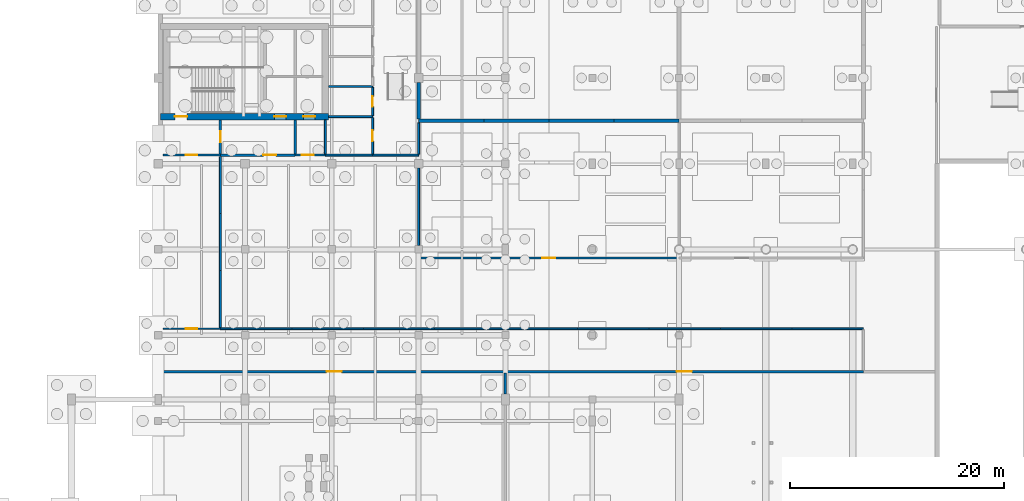
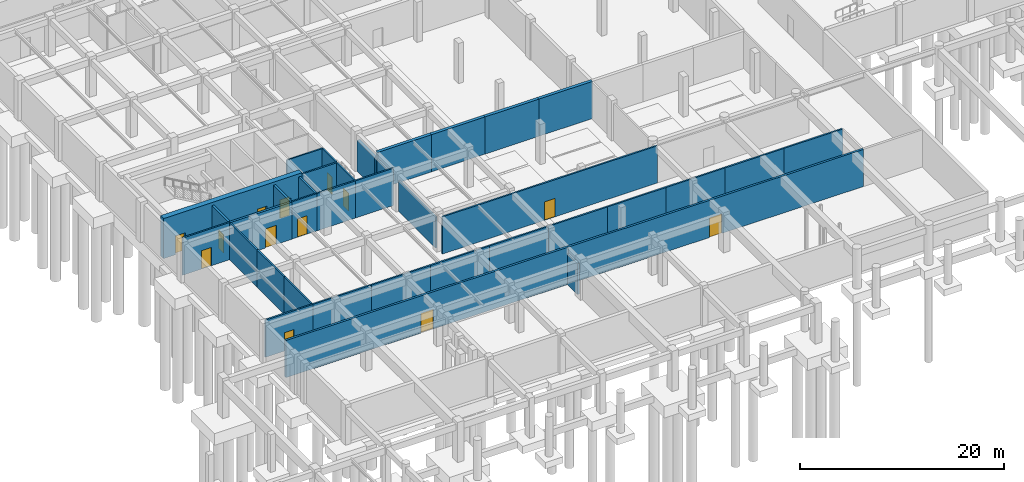
# One storey, part 14 of 25: 37 walls, 13 doors, 13 openings.
"""IFC4 building model written with IfcOpenShell, lengths in metres."""

from ifc_helpers import new_model, si_unit, direction, frame, frame_2d, origin, place, context, subcontext, project, spatial, rectangle, extrude, material, layer, layer_set, type_object, element, fill, save


model = new_model("IFC4")

# Units and contexts
model_context = context("Model", 3, precision=1e-05, world=origin(), true_north=direction((0.0, 1.0)))
body_context = subcontext(model_context, "Body", "Model", "MODEL_VIEW")
ifc_project = project(units=[si_unit("LENGTHUNIT", "METRE"), si_unit("AREAUNIT", "SQUARE_METRE"), si_unit("VOLUMEUNIT", "CUBIC_METRE"), si_unit("PLANEANGLEUNIT", "RADIAN"), si_unit("MASSUNIT", "GRAM", prefix="KILO")], contexts=[model_context])

# Site, building, storey
site_placement = place(None, origin())
site = spatial("IfcSite", under=ifc_project, at=site_placement, CompositionType="ELEMENT")
building_placement = place(site_placement, origin())
building = spatial("IfcBuilding", under=site, at=building_placement, Name="Tarnveldt Square Police Headquarters", CompositionType="ELEMENT")
storey_placement = place(building_placement, frame((0.0, 0.0, -4.800048828125)))
storey = spatial("IfcBuildingStorey", under=building, at=storey_placement, Name="B1", CompositionType="ELEMENT", Elevation=-4.800048828125)

# Wall, openings, doors
ifc_material_1 = material(Name="Concrete 50 MPa", Category="concrete")
ifc_layer_1 = layer(ifc_material_1, 0.60009765625)
ifc_layer_set_1 = layer_set([ifc_layer_1], Name="Concrete 50 MPa")
wall_type_1 = type_object("IfcWallType", Name="WL-CORE-600", PredefinedType="SHEAR", material=ifc_layer_set_1)
wall_1_placement = place(storey_placement, frame((16.419921875, 60.39990234375, 0.0), z_axis=(0.0, 0.0, 1.0), x_axis=(1.0, 0.0, 0.0)))
wall_1 = element("IfcWall", 1, at=wall_1_placement, inside=storey, type_object=wall_type_1, Name="Core K1 South-West Command and Firefighting Core B1 South Shear Wall", PredefinedType="SHEAR", context=body_context, shape_type="SweptSolid", body=[
    extrude(rectangle(XDim=15.68017578125, YDim=0.60009765625, at=frame_2d((7.840087890625, 0.0))), origin(), (0.0, 0.0, 1.0), 4.800048828125),
])
opening_1_placement = place(wall_1_placement, frame((1.330078125, 0.0, 0.0)))
opening_1 = element("IfcOpeningElement", 2, at=opening_1_placement, cuts=wall_1, Name="Opening D-ST1-B1", PredefinedType="OPENING", context=body_context, shape_type="SweptSolid", body=[
    extrude(rectangle(XDim=1.14990234375, YDim=2.25, at=frame_2d((0.574951171875, 1.125))), frame((0.0, 0.31005859375, 0.0), z_axis=(0.0, -1.0, 0.0), x_axis=(1.0, 0.0, 0.0)), (0.0, 0.0, 1.0), 0.6201171875),
])
opening_2_placement = place(wall_1_placement, frame((10.612548828125, 0.0, 0.0)))
opening_2 = element("IfcOpeningElement", 3, at=opening_2_placement, cuts=wall_1, Name="Opening LD-LF1-B1", PredefinedType="OPENING", context=body_context, shape_type="SweptSolid", body=[
    extrude(rectangle(XDim=1.10009765625, YDim=2.199951171875, at=frame_2d((0.550048828125, 1.10009765625))), frame((0.0, 0.31005859375, 0.0), z_axis=(0.0, -1.0, 0.0), x_axis=(1.0, 0.0, 0.0)), (0.0, 0.0, 1.0), 0.6201171875),
])
opening_3_placement = place(wall_1_placement, frame((13.327392578125, 0.0, 0.0)))
opening_3 = element("IfcOpeningElement", 4, at=opening_3_placement, cuts=wall_1, Name="Opening LD-LP1-B1", PredefinedType="OPENING", context=body_context, shape_type="SweptSolid", body=[
    extrude(rectangle(XDim=1.10009765625, YDim=2.199951171875, at=frame_2d((0.550048828125, 1.10009765625))), frame((0.0, 0.31005859375, 0.0), z_axis=(0.0, -1.0, 0.0), x_axis=(1.0, 0.0, 0.0)), (0.0, 0.0, 1.0), 0.6201171875),
])
ifc_material_2 = material(Name="Insulated hollow metal steel door leaf", Category="steel")
door_type_1 = type_object("IfcDoorType", Name="DR-FD90-1150", OperationType="NOTDEFINED", PredefinedType="DOOR", material=ifc_material_2)
door_1_placement = place(opening_1_placement, frame((1.14990234375, 0.0, 0.0), z_axis=(0.0, 0.0, 1.0), x_axis=(-1.0, 0.0, 0.0)))
door_1 = element("IfcDoor", 5, at=door_1_placement, inside=storey, type_object=door_type_1, Name="Exit Stair ST1 B1 Fire Door", OperationType="SINGLE_SWING_LEFT", OverallHeight=2.25, OverallWidth=1.14990234375, PredefinedType="DOOR", context=body_context, shape_type="SweptSolid", body=[
    extrude(rectangle(XDim=1.14990234375, YDim=2.25, at=frame_2d((0.574951171875, 1.125))), frame((0.0, 0.02490234375, 0.0), z_axis=(0.0, -1.0, 0.0), x_axis=(1.0, 0.0, 0.0)), (0.0, 0.0, 1.0), 0.050048828125),
])
fill(opening_1, door_1)
ifc_material_3 = material(Name="Steel 350W", Category="steel")
door_type_2 = type_object("IfcDoorType", Name="DR-LD-1100", OperationType="DOUBLE_DOOR_SLIDING", PredefinedType="DOOR", material=ifc_material_3)
door_2_placement = place(opening_2_placement, frame((1.10009765625, 0.0, 0.0), z_axis=(0.0, 0.0, 1.0), x_axis=(-1.0, 0.0, 0.0)))
door_2 = element("IfcDoor", 6, at=door_2_placement, inside=storey, type_object=door_type_2, Name="Elevator LF1 B1 Sliding Landing Door", OperationType="DOUBLE_DOOR_SLIDING", OverallHeight=2.199951171875, OverallWidth=1.10009765625, PredefinedType="DOOR", context=body_context, shape_type="SweptSolid", body=[
    extrude(rectangle(XDim=1.10009765625, YDim=2.199951171875, at=frame_2d((0.550048828125, 1.10009765625))), frame((0.0, 0.02490234375, 0.0), z_axis=(0.0, -1.0, 0.0), x_axis=(1.0, 0.0, 0.0)), (0.0, 0.0, 1.0), 0.050048828125),
])
fill(opening_2, door_2)
door_3_placement = place(opening_3_placement, frame((1.10009765625, 0.0, 0.0), z_axis=(0.0, 0.0, 1.0), x_axis=(-1.0, 0.0, 0.0)))
door_3 = element("IfcDoor", 7, at=door_3_placement, inside=storey, type_object=door_type_2, Name="Elevator LP1 B1 Sliding Landing Door", OperationType="DOUBLE_DOOR_SLIDING", OverallHeight=2.199951171875, OverallWidth=1.10009765625, PredefinedType="DOOR", context=body_context, shape_type="SweptSolid", body=[
    extrude(rectangle(XDim=1.10009765625, YDim=2.199951171875, at=frame_2d((0.550048828125, 1.10009765625))), frame((0.0, 0.02490234375, 0.0), z_axis=(0.0, -1.0, 0.0), x_axis=(1.0, 0.0, 0.0)), (0.0, 0.0, 1.0), 0.050048828125),
])
fill(opening_3, door_3)

# Walls
ifc_material_4 = material(Name="Concrete 40 MPa", Category="concrete")
ifc_layer_2 = layer(ifc_material_4, 0.35009765625)
ifc_layer_set_2 = layer_set([ifc_layer_2], Name="Concrete 40 MPa")
wall_type_2 = type_object("IfcWallType", Name="WL-CUST-350", PredefinedType="SOLIDWALL", material=ifc_layer_set_2)
for number, where, z_axis, x_axis, name in (
    (8, (40.5, 60.0, 0.0), (0.0, 0.0, 1.0), (1.0, 0.0, 0.0), "B1 Interior Partition Wall 0034"),
    (9, (46.574951171875, 60.0, 0.0), (0.0, 0.0, 1.0), (1.0, 0.0, 0.0), "B1 Interior Partition Wall 0035"),
):
    element("IfcWall", number, at=place(storey_placement, frame(where, z_axis=z_axis, x_axis=x_axis)), inside=storey, type_object=wall_type_2, Name=name, PredefinedType="SOLIDWALL", context=body_context, shape_type="SweptSolid", body=[
        extrude(rectangle(XDim=6.074951171875, YDim=0.35009765625, at=frame_2d((3.03759765625, 0.0))), origin(), (0.0, 0.0, 1.0), 4.449951171875),
    ])
wall_2_placement = place(storey_placement, frame((52.64990234375, 60.0, 0.0), z_axis=(0.0, 0.0, 1.0), x_axis=(1.0, 0.0, 0.0)))
element("IfcWall", 10, at=wall_2_placement, inside=storey, type_object=wall_type_2, Name="B1 Interior Partition Wall 0036", PredefinedType="SOLIDWALL", context=body_context, shape_type="SweptSolid", body=[
    extrude(rectangle(XDim=6.0751953125, YDim=0.35009765625, at=frame_2d((3.03759765625, 0.0))), origin(), (0.0, 0.0, 1.0), 4.449951171875),
])
wall_3_placement = place(storey_placement, frame((58.72509765625, 60.0, 0.0), z_axis=(0.0, 0.0, 1.0), x_axis=(1.0, 0.0, 0.0)))
element("IfcWall", 11, at=wall_3_placement, inside=storey, type_object=wall_type_2, Name="B1 Interior Partition Wall 0037", PredefinedType="SOLIDWALL", context=body_context, shape_type="SweptSolid", body=[
    extrude(rectangle(XDim=6.074951171875, YDim=0.35009765625, at=frame_2d((3.03759765625, 0.0))), origin(), (0.0, 0.0, 1.0), 4.449951171875),
])
wall_4_placement = place(storey_placement, frame((40.5, 60.18310546875, 0.0), z_axis=(0.0, 0.0, 1.0), x_axis=(0.0, 1.0, 0.0)))
element("IfcWall", 12, at=wall_4_placement, inside=storey, type_object=wall_type_2, Name="B1 Interior Partition Wall 0069", PredefinedType="SOLIDWALL", context=body_context, shape_type="SweptSolid", body=[
    extrude(rectangle(XDim=3.408935546875, YDim=0.35009765625, at=frame_2d((1.70458984375, 0.0))), origin(), (0.0, 0.0, 1.0), 3.692138671875),
])

# Wall, opening, door
ifc_material_5 = material(Name="Fire-rated Type X gypsum board on steel studs", Category="steel")
ifc_layer_3 = layer(ifc_material_5, 0.179931640625)
ifc_layer_set_3 = layer_set([ifc_layer_3], Name="Fire-rated Type X gypsum board on steel studs")
wall_type_3 = type_object("IfcWallType", Name="WL-FIRE-180", PredefinedType="PARTITIONING", material=ifc_layer_set_3)
wall_5_placement = place(storey_placement, frame((16.6279296875, 40.60009765625, 0.0), z_axis=(0.0, 0.0, 1.0), x_axis=(1.0, 0.0, 0.0)))
wall_5 = element("IfcWall", 13, at=wall_5_placement, inside=storey, type_object=wall_type_3, Name="B1 Interior Partition Wall 0002", PredefinedType="PARTITIONING", context=body_context, shape_type="SweptSolid", body=[
    extrude(rectangle(XDim=5.3720703125, YDim=0.179931640625, at=frame_2d((2.68603515625, 0.0))), origin(), (0.0, 0.0, 1.0), 4.449951171875),
])
opening_4_placement = place(wall_5_placement, frame((2.135986328125, 0.0, 0.0)))
opening_4 = element("IfcOpeningElement", 14, at=opening_4_placement, cuts=wall_5, Name="Opening D15", PredefinedType="OPENING", context=body_context, shape_type="SweptSolid", body=[
    extrude(rectangle(XDim=1.10009765625, YDim=2.199951171875, at=frame_2d((0.550048828125, 1.10009765625))), frame((0.0, 0.099853515625, 0.0), z_axis=(0.0, -1.0, 0.0), x_axis=(1.0, 0.0, 0.0)), (0.0, 0.0, 1.0), 0.199951171875),
])
door_type_3 = type_object("IfcDoorType", Name="DR-FD60-1100", OperationType="NOTDEFINED", PredefinedType="DOOR", material=ifc_material_2)
door_4_placement = place(opening_4_placement, origin())
door_4 = element("IfcDoor", 15, at=door_4_placement, inside=storey, type_object=door_type_3, Name="Basement West Plant Escape Corridor Door", OperationType="SINGLE_SWING_RIGHT", OverallHeight=2.199951171875, OverallWidth=1.10009765625, PredefinedType="DOOR", context=body_context, shape_type="SweptSolid", body=[
    extrude(rectangle(XDim=1.10009765625, YDim=2.199951171875, at=frame_2d((0.550048828125, 1.10009765625))), frame((0.0, 0.02490234375, 0.0), z_axis=(0.0, -1.0, 0.0), x_axis=(1.0, 0.0, 0.0)), (0.0, 0.0, 1.0), 0.050048828125),
])
fill(opening_4, door_4)

wall_6_placement = place(storey_placement, frame((16.6279296875, 56.800048828125, 0.0), z_axis=(0.0, 0.0, 1.0), x_axis=(1.0, 0.0, 0.0)))
wall_6 = element("IfcWall", 16, at=wall_6_placement, inside=storey, type_object=wall_type_3, Name="B1 Interior Partition Wall 0003", PredefinedType="PARTITIONING", context=body_context, shape_type="SweptSolid", body=[
    extrude(rectangle(XDim=5.3720703125, YDim=0.179931640625, at=frame_2d((2.68603515625, 0.0))), origin(), (0.0, 0.0, 1.0), 4.449951171875),
])
opening_5_placement = place(wall_6_placement, frame((2.135986328125, 0.0, 0.0)))
opening_5 = element("IfcOpeningElement", 17, at=opening_5_placement, cuts=wall_6, Name="Opening D15", PredefinedType="OPENING", context=body_context, shape_type="SweptSolid", body=[
    extrude(rectangle(XDim=1.10009765625, YDim=2.199951171875, at=frame_2d((0.550048828125, 1.10009765625))), frame((0.0, 0.099853515625, 0.0), z_axis=(0.0, -1.0, 0.0), x_axis=(1.0, 0.0, 0.0)), (0.0, 0.0, 1.0), 0.199951171875),
])
door_5_placement = place(opening_5_placement, frame((1.10009765625, 0.0, 0.0), z_axis=(0.0, 0.0, 1.0), x_axis=(-1.0, 0.0, 0.0)))
door_5 = element("IfcDoor", 18, at=door_5_placement, inside=storey, type_object=door_type_3, Name="Core Stair Lobby K1-B1 Door", OperationType="SINGLE_SWING_LEFT", OverallHeight=2.199951171875, OverallWidth=1.10009765625, PredefinedType="DOOR", context=body_context, shape_type="SweptSolid", body=[
    extrude(rectangle(XDim=1.10009765625, YDim=2.199951171875, at=frame_2d((0.550048828125, 1.10009765625))), frame((0.0, 0.02490234375, 0.0), z_axis=(0.0, -1.0, 0.0), x_axis=(1.0, 0.0, 0.0)), (0.0, 0.0, 1.0), 0.050048828125),
])
fill(opening_5, door_5)

# Walls
wall_7_placement = place(storey_placement, frame((22.0, 40.60009765625, 0.0), z_axis=(0.0, 0.0, 1.0), x_axis=(1.0, 0.0, 0.0)))
element("IfcWall", 19, at=wall_7_placement, inside=storey, type_object=wall_type_3, Name="B1 Interior Partition Wall 0005", PredefinedType="PARTITIONING", context=body_context, shape_type="SweptSolid", body=[
    extrude(rectangle(XDim=6.666748046875, YDim=0.179931640625, at=frame_2d((3.33349609375, 0.0))), origin(), (0.0, 0.0, 1.0), 4.449951171875),
])
wall_8_placement = place(storey_placement, frame((28.666748046875, 40.60009765625, 0.0), z_axis=(0.0, 0.0, 1.0), x_axis=(1.0, 0.0, 0.0)))
element("IfcWall", 20, at=wall_8_placement, inside=storey, type_object=wall_type_3, Name="B1 Interior Partition Wall 0006", PredefinedType="PARTITIONING", context=body_context, shape_type="SweptSolid", body=[
    extrude(rectangle(XDim=6.66650390625, YDim=0.179931640625, at=frame_2d((3.333251953125, 0.0))), origin(), (0.0, 0.0, 1.0), 4.449951171875),
])
for number, where, z_axis, x_axis, name in (
    (21, (35.333251953125, 40.60009765625, 0.0), (0.0, 0.0, 1.0), (1.0, 0.0, 0.0), "B1 Interior Partition Wall 0007"),
    (22, (42.0, 40.60009765625, 0.0), (0.0, 0.0, 1.0), (1.0, 0.0, 0.0), "B1 Interior Partition Wall 0008"),
):
    element("IfcWall", number, at=place(storey_placement, frame(where, z_axis=z_axis, x_axis=x_axis)), inside=storey, type_object=wall_type_3, Name=name, PredefinedType="PARTITIONING", context=body_context, shape_type="SweptSolid", body=[
        extrude(rectangle(XDim=6.666748046875, YDim=0.179931640625, at=frame_2d((3.33349609375, 0.0))), origin(), (0.0, 0.0, 1.0), 4.449951171875),
    ])
wall_9_placement = place(storey_placement, frame((48.666748046875, 40.60009765625, 0.0), z_axis=(0.0, 0.0, 1.0), x_axis=(1.0, 0.0, 0.0)))
element("IfcWall", 23, at=wall_9_placement, inside=storey, type_object=wall_type_3, Name="B1 Interior Partition Wall 0009", PredefinedType="PARTITIONING", context=body_context, shape_type="SweptSolid", body=[
    extrude(rectangle(XDim=6.66650390625, YDim=0.179931640625, at=frame_2d((3.333251953125, 0.0))), origin(), (0.0, 0.0, 1.0), 4.449951171875),
])
for number, where, z_axis, x_axis, name in (
    (24, (55.333251953125, 40.60009765625, 0.0), (0.0, 0.0, 1.0), (1.0, 0.0, 0.0), "B1 Interior Partition Wall 0010"),
    (25, (62.0, 40.60009765625, 0.0), (0.0, 0.0, 1.0), (1.0, 0.0, 0.0), "B1 Interior Partition Wall 0011"),
):
    element("IfcWall", number, at=place(storey_placement, frame(where, z_axis=z_axis, x_axis=x_axis)), inside=storey, type_object=wall_type_3, Name=name, PredefinedType="PARTITIONING", context=body_context, shape_type="SweptSolid", body=[
        extrude(rectangle(XDim=6.666748046875, YDim=0.179931640625, at=frame_2d((3.33349609375, 0.0))), origin(), (0.0, 0.0, 1.0), 4.449951171875),
    ])
wall_10_placement = place(storey_placement, frame((68.666748046875, 40.60009765625, 0.0), z_axis=(0.0, 0.0, 1.0), x_axis=(1.0, 0.0, 0.0)))
element("IfcWall", 26, at=wall_10_placement, inside=storey, type_object=wall_type_3, Name="B1 Interior Partition Wall 0012", PredefinedType="PARTITIONING", context=body_context, shape_type="SweptSolid", body=[
    extrude(rectangle(XDim=6.66650390625, YDim=0.179931640625, at=frame_2d((3.333251953125, 0.0))), origin(), (0.0, 0.0, 1.0), 4.449951171875),
])
wall_11_placement = place(storey_placement, frame((75.333251953125, 40.60009765625, 0.0), z_axis=(0.0, 0.0, 1.0), x_axis=(1.0, 0.0, 0.0)))
element("IfcWall", 27, at=wall_11_placement, inside=storey, type_object=wall_type_3, Name="B1 Interior Partition Wall 0013", PredefinedType="PARTITIONING", context=body_context, shape_type="SweptSolid", body=[
    extrude(rectangle(XDim=6.666748046875, YDim=0.179931640625, at=frame_2d((3.33349609375, 0.0))), origin(), (0.0, 0.0, 1.0), 4.449951171875),
])

# Wall, opening, door
wall_12_placement = place(storey_placement, frame((28.97509765625, 56.800048828125, 0.0), z_axis=(0.0, 0.0, 1.0), x_axis=(1.0, 0.0, 0.0)))
wall_12 = element("IfcWall", 28, at=wall_12_placement, inside=storey, type_object=wall_type_3, Name="B1 Interior Partition Wall 0015", PredefinedType="PARTITIONING", context=body_context, shape_type="SweptSolid", body=[
    extrude(rectangle(XDim=2.824951171875, YDim=0.179931640625, at=frame_2d((1.41259765625, 0.0))), origin(), (0.0, 0.0, 1.0), 4.449951171875),
])
opening_6_placement = place(wall_12_placement, frame((0.636474609375, 0.0, 0.0)))
opening_6 = element("IfcOpeningElement", 29, at=opening_6_placement, cuts=wall_12, Name="Opening D15", PredefinedType="OPENING", context=body_context, shape_type="SweptSolid", body=[
    extrude(rectangle(XDim=1.10009765625, YDim=2.199951171875, at=frame_2d((0.550048828125, 1.10009765625))), frame((0.0, 0.099853515625, 0.0), z_axis=(0.0, -1.0, 0.0), x_axis=(1.0, 0.0, 0.0)), (0.0, 0.0, 1.0), 0.199951171875),
])
door_6_placement = place(opening_6_placement, frame((1.10009765625, 0.0, 0.0), z_axis=(0.0, 0.0, 1.0), x_axis=(-1.0, 0.0, 0.0)))
door_6 = element("IfcDoor", 30, at=door_6_placement, inside=storey, type_object=door_type_3, Name="Passenger Lift Lobby K1-B1 Door", OperationType="SINGLE_SWING_RIGHT", OverallHeight=2.199951171875, OverallWidth=1.10009765625, PredefinedType="DOOR", context=body_context, shape_type="SweptSolid", body=[
    extrude(rectangle(XDim=1.10009765625, YDim=2.199951171875, at=frame_2d((0.550048828125, 1.10009765625))), frame((0.0, 0.02490234375, 0.0), z_axis=(0.0, -1.0, 0.0), x_axis=(1.0, 0.0, 0.0)), (0.0, 0.0, 1.0), 0.050048828125),
])
fill(opening_6, door_6)

# Walls
wall_13_placement = place(storey_placement, frame((31.800048828125, 56.800048828125, 0.0), z_axis=(0.0, 0.0, 1.0), x_axis=(1.0, 0.0, 0.0)))
element("IfcWall", 31, at=wall_13_placement, inside=storey, type_object=wall_type_3, Name="B1 Interior Partition Wall 0026", PredefinedType="PARTITIONING", context=body_context, shape_type="SweptSolid", body=[
    extrude(rectangle(XDim=4.39990234375, YDim=0.179931640625, at=frame_2d((2.199951171875, 0.0))), origin(), (0.0, 0.0, 1.0), 4.449951171875),
])
wall_14_placement = place(storey_placement, frame((32.10009765625, 60.39990234375, 0.0), z_axis=(0.0, 0.0, 1.0), x_axis=(1.0, 0.0, 0.0)))
element("IfcWall", 32, at=wall_14_placement, inside=storey, type_object=wall_type_3, Name="B1 Interior Partition Wall 0027", PredefinedType="PARTITIONING", context=body_context, shape_type="SweptSolid", body=[
    extrude(rectangle(XDim=4.099853515625, YDim=0.179931640625, at=frame_2d((2.0498046875, 0.0))), origin(), (0.0, 0.0, 1.0), 4.449951171875),
])
wall_15_placement = place(storey_placement, frame((36.199951171875, 56.800048828125, 0.0), z_axis=(0.0, 0.0, 1.0), x_axis=(1.0, 0.0, 0.0)))
element("IfcWall", 33, at=wall_15_placement, inside=storey, type_object=wall_type_3, Name="B1 Interior Partition Wall 0031", PredefinedType="PARTITIONING", context=body_context, shape_type="SweptSolid", body=[
    extrude(rectangle(XDim=4.300048828125, YDim=0.179931640625, at=frame_2d((2.14990234375, 0.0))), origin(), (0.0, 0.0, 1.0), 4.449951171875),
])

# Wall, opening, door
wall_16_placement = place(storey_placement, frame((40.5, 47.199951171875, 0.0), z_axis=(0.0, 0.0, 1.0), x_axis=(1.0, 0.0, 0.0)))
wall_16 = element("IfcWall", 34, at=wall_16_placement, inside=storey, type_object=wall_type_3, Name="B1 Interior Partition Wall 0033", PredefinedType="PARTITIONING", context=body_context, shape_type="SweptSolid", body=[
    extrude(rectangle(XDim=24.300048828125, YDim=0.179931640625, at=frame_2d((12.14990234375, 0.0))), origin(), (0.0, 0.0, 1.0), 4.449951171875),
])
opening_7_placement = place(wall_16_placement, frame((11.550048828125, 0.0, 0.0)))
opening_7 = element("IfcOpeningElement", 35, at=opening_7_placement, cuts=wall_16, Name="Opening D16", PredefinedType="OPENING", context=body_context, shape_type="SweptSolid", body=[
    extrude(rectangle(XDim=1.199951171875, YDim=2.199951171875, at=frame_2d((0.60009765625, 1.10009765625))), frame((0.0, 0.099853515625, 0.0), z_axis=(0.0, -1.0, 0.0), x_axis=(1.0, 0.0, 0.0)), (0.0, 0.0, 1.0), 0.199951171875),
])
door_type_4 = type_object("IfcDoorType", Name="DR-FD60-1200", OperationType="NOTDEFINED", PredefinedType="DOOR", material=ifc_material_2)
door_7_placement = place(opening_7_placement, origin())
door_7 = element("IfcDoor", 36, at=door_7_placement, inside=storey, type_object=door_type_4, Name="Patrol Cruiser Secure Car Park Bay A Door", OperationType="SINGLE_SWING_RIGHT", OverallHeight=2.199951171875, OverallWidth=1.199951171875, PredefinedType="DOOR", context=body_context, shape_type="SweptSolid", body=[
    extrude(rectangle(XDim=1.199951171875, YDim=2.199951171875, at=frame_2d((0.60009765625, 1.10009765625))), frame((0.0, 0.02490234375, 0.0), z_axis=(0.0, -1.0, 0.0), x_axis=(1.0, 0.0, 0.0)), (0.0, 0.0, 1.0), 0.050048828125),
])
fill(opening_7, door_7)

# Walls
for number, where, z_axis, x_axis, name in (
    (37, (22.0, 40.697998046875, 0.0), (0.0, 0.0, 1.0), (0.0, 1.0, 0.0), "B1 Interior Partition Wall 0052"),
    (38, (22.0, 46.022705078125, 0.0), (0.0, 0.0, 1.0), (0.0, 1.0, 0.0), "B1 Interior Partition Wall 0053"),
    (39, (22.0, 51.347412109375, 0.0), (0.0, 0.0, 1.0), (0.0, 1.0, 0.0), "B1 Interior Partition Wall 0054"),
):
    element("IfcWall", number, at=place(storey_placement, frame(where, z_axis=z_axis, x_axis=x_axis)), inside=storey, type_object=wall_type_3, Name=name, PredefinedType="PARTITIONING", context=body_context, shape_type="SweptSolid", body=[
        extrude(rectangle(XDim=5.32470703125, YDim=0.179931640625, at=frame_2d((2.662353515625, 0.0))), origin(), (0.0, 0.0, 1.0), 4.449951171875),
    ])
wall_17_placement = place(storey_placement, frame((31.800048828125, 56.89794921875, 0.0), z_axis=(0.0, 0.0, 1.0), x_axis=(0.0, 1.0, 0.0)))
element("IfcWall", 40, at=wall_17_placement, inside=storey, type_object=wall_type_3, Name="B1 Interior Partition Wall 0060", PredefinedType="PARTITIONING", context=body_context, shape_type="SweptSolid", body=[
    extrude(rectangle(XDim=3.194091796875, YDim=0.179931640625, at=frame_2d((1.59716796875, 0.0))), origin(), (0.0, 0.0, 1.0), 4.449951171875),
])

# Wall, opening, door
wall_18_placement = place(storey_placement, frame((36.199951171875, 56.89794921875, 0.0), z_axis=(0.0, 0.0, 1.0), x_axis=(0.0, 1.0, 0.0)))
wall_18 = element("IfcWall", 41, at=wall_18_placement, inside=storey, type_object=wall_type_3, Name="B1 Interior Partition Wall 0061", PredefinedType="PARTITIONING", context=body_context, shape_type="SweptSolid", body=[
    extrude(rectangle(XDim=3.404052734375, YDim=0.179931640625, at=frame_2d((1.7021484375, 0.0))), origin(), (0.0, 0.0, 1.0), 4.449951171875),
])
opening_8_placement = place(wall_18_placement, frame((1.201904296875, 0.0, 0.0)))
opening_8 = element("IfcOpeningElement", 42, at=opening_8_placement, cuts=wall_18, Name="Opening D14", PredefinedType="OPENING", context=body_context, shape_type="SweptSolid", body=[
    extrude(rectangle(XDim=1.0, YDim=2.14990234375, at=frame_2d((0.5, 1.074951171875))), frame((0.0, 0.099853515625, 0.0), z_axis=(0.0, -1.0, 0.0), x_axis=(1.0, 0.0, 0.0)), (0.0, 0.0, 1.0), 0.199951171875),
])
door_type_5 = type_object("IfcDoorType", Name="DR-FD60-1000", OperationType="NOTDEFINED", PredefinedType="DOOR", material=ifc_material_2)
door_8_placement = place(opening_8_placement, origin())
door_8 = element("IfcDoor", 43, at=door_8_placement, inside=storey, type_object=door_type_5, Name="Electrical Distribution Room B1 Door", OperationType="SINGLE_SWING_RIGHT", OverallHeight=2.14990234375, OverallWidth=1.0, PredefinedType="DOOR", context=body_context, shape_type="SweptSolid", body=[
    extrude(rectangle(XDim=1.0, YDim=2.14990234375, at=frame_2d((0.5, 1.074951171875))), frame((0.0, 0.02490234375, 0.0), z_axis=(0.0, -1.0, 0.0), x_axis=(1.0, 0.0, 0.0)), (0.0, 0.0, 1.0), 0.050048828125),
])
fill(opening_8, door_8)

wall_19_placement = place(storey_placement, frame((36.199951171875, 60.498046875, 0.0), z_axis=(0.0, 0.0, 1.0), x_axis=(0.0, 1.0, 0.0)))
wall_19 = element("IfcWall", 44, at=wall_19_placement, inside=storey, type_object=wall_type_3, Name="B1 Interior Partition Wall 0062", PredefinedType="PARTITIONING", context=body_context, shape_type="SweptSolid", body=[
    extrude(rectangle(XDim=2.614013671875, YDim=0.179931640625, at=frame_2d((1.30712890625, 0.0))), origin(), (0.0, 0.0, 1.0), 4.449951171875),
])
opening_9_placement = place(wall_19_placement, frame((0.83203125, 0.0, 0.0)))
opening_9 = element("IfcOpeningElement", 45, at=opening_9_placement, cuts=wall_19, Name="Opening D02", PredefinedType="OPENING", context=body_context, shape_type="SweptSolid", body=[
    extrude(rectangle(XDim=0.949951171875, YDim=2.10009765625, at=frame_2d((0.47509765625, 1.050048828125))), frame((0.0, 0.099853515625, 0.0), z_axis=(0.0, -1.0, 0.0), x_axis=(1.0, 0.0, 0.0)), (0.0, 0.0, 1.0), 0.199951171875),
])
ifc_material_6 = material(Name="Solid core architectural birch door leaf", Category="wood")
door_type_6 = type_object("IfcDoorType", Name="DR-WC-950", OperationType="NOTDEFINED", PredefinedType="DOOR", material=ifc_material_6)
door_9_placement = place(opening_9_placement, origin())
door_9 = element("IfcDoor", 46, at=door_9_placement, inside=storey, type_object=door_type_6, Name="Men Washroom B1 Door", OperationType="SINGLE_SWING_LEFT", OverallHeight=2.10009765625, OverallWidth=0.949951171875, PredefinedType="DOOR", context=body_context, shape_type="SweptSolid", body=[
    extrude(rectangle(XDim=0.949951171875, YDim=2.10009765625, at=frame_2d((0.47509765625, 1.050048828125))), frame((0.0, 0.02490234375, 0.0), z_axis=(0.0, -1.0, 0.0), x_axis=(1.0, 0.0, 0.0)), (0.0, 0.0, 1.0), 0.050048828125),
])
fill(opening_9, door_9)

# Walls
wall_20_placement = place(storey_placement, frame((40.5, 48.35791015625, 0.0), z_axis=(0.0, 0.0, 1.0), x_axis=(0.0, 1.0, 0.0)))
element("IfcWall", 47, at=wall_20_placement, inside=storey, type_object=wall_type_3, Name="B1 Interior Partition Wall 0067", PredefinedType="PARTITIONING", context=body_context, shape_type="SweptSolid", body=[
    extrude(rectangle(XDim=7.234130859375, YDim=0.179931640625, at=frame_2d((3.6171875, 0.0))), origin(), (0.0, 0.0, 1.0), 3.692138671875),
])
wall_21_placement = place(storey_placement, frame((40.5, 56.89794921875, 0.0), z_axis=(0.0, 0.0, 1.0), x_axis=(0.0, 1.0, 0.0)))
element("IfcWall", 48, at=wall_21_placement, inside=storey, type_object=wall_type_3, Name="B1 Interior Partition Wall 0068", PredefinedType="PARTITIONING", context=body_context, shape_type="SweptSolid", body=[
    extrude(rectangle(XDim=2.9189453125, YDim=0.179931640625, at=frame_2d((1.45947265625, 0.0))), origin(), (0.0, 0.0, 1.0), 3.692138671875),
])

# Wall, opening, door
ifc_material_7 = material(Name="Concrete block masonry 15 MPa", Category="masonry")
ifc_layer_4 = layer(ifc_material_7, 0.239990234375)
ifc_layer_set_4 = layer_set([ifc_layer_4], Name="Concrete block masonry 15 MPa")
wall_type_4 = type_object("IfcWallType", Name="WL-FIRE-240", PredefinedType="PARTITIONING", material=ifc_layer_set_4)
wall_22_placement = place(storey_placement, frame((16.6279296875, 36.60009765625, 0.0), z_axis=(0.0, 0.0, 1.0), x_axis=(1.0, 0.0, 0.0)))
wall_22 = element("IfcWall", 49, at=wall_22_placement, inside=storey, type_object=wall_type_4, Name="B1 Interior Partition Wall 0001", PredefinedType="PARTITIONING", context=body_context, shape_type="SweptSolid", body=[
    extrude(rectangle(XDim=31.97216796875, YDim=0.239990234375, at=frame_2d((15.986083984375, 0.0))), origin(), (0.0, 0.0, 1.0), 4.449951171875),
])
opening_10_placement = place(wall_22_placement, frame((15.285888671875, 0.0, 0.0)))
opening_10 = element("IfcOpeningElement", 50, at=opening_10_placement, cuts=wall_22, Name="Opening D21", PredefinedType="OPENING", context=body_context, shape_type="SweptSolid", body=[
    extrude(rectangle(XDim=1.39990234375, YDim=2.35009765625, at=frame_2d((0.699951171875, 1.175048828125))), frame((0.0, 0.1298828125, 0.0), z_axis=(0.0, -1.0, 0.0), x_axis=(1.0, 0.0, 0.0)), (0.0, 0.0, 1.0), 0.260009765625),
])
door_type_7 = type_object("IfcDoorType", Name="DR-FD90-1400", OperationType="DOUBLE_DOOR_SINGLE_SWING", PredefinedType="DOOR", material=ifc_material_2)
door_10_placement = place(opening_10_placement, frame((1.39990234375, 0.0, 0.0), z_axis=(0.0, 0.0, 1.0), x_axis=(-1.0, 0.0, 0.0)))
door_10 = element("IfcDoor", 51, at=door_10_placement, inside=storey, type_object=door_type_7, Name="Central Chiller and Hydronic Plant Room Door", OperationType="DOUBLE_DOOR_SINGLE_SWING", OverallHeight=2.35009765625, OverallWidth=1.39990234375, PredefinedType="DOOR", context=body_context, shape_type="SweptSolid", body=[
    extrude(rectangle(XDim=1.39990234375, YDim=2.35009765625, at=frame_2d((0.699951171875, 1.175048828125))), frame((0.0, 0.02490234375, 0.0), z_axis=(0.0, -1.0, 0.0), x_axis=(1.0, 0.0, 0.0)), (0.0, 0.0, 1.0), 0.050048828125),
])
fill(opening_10, door_10)

wall_23_placement = place(storey_placement, frame((22.0, 56.800048828125, 0.0), z_axis=(0.0, 0.0, 1.0), x_axis=(1.0, 0.0, 0.0)))
wall_23 = element("IfcWall", 52, at=wall_23_placement, inside=storey, type_object=wall_type_4, Name="B1 Interior Partition Wall 0014", PredefinedType="PARTITIONING", context=body_context, shape_type="SweptSolid", body=[
    extrude(rectangle(XDim=6.97509765625, YDim=0.239990234375, at=frame_2d((3.487548828125, 0.0))), origin(), (0.0, 0.0, 1.0), 4.449951171875),
])
opening_11_placement = place(wall_23_placement, frame((4.00341796875, 0.0, 0.0)))
opening_11 = element("IfcOpeningElement", 53, at=opening_11_placement, cuts=wall_23, Name="Opening D20", PredefinedType="OPENING", context=body_context, shape_type="SweptSolid", body=[
    extrude(rectangle(XDim=1.199951171875, YDim=2.300048828125, at=frame_2d((0.60009765625, 1.14990234375))), frame((0.0, 0.1298828125, 0.0), z_axis=(0.0, -1.0, 0.0), x_axis=(1.0, 0.0, 0.0)), (0.0, 0.0, 1.0), 0.260009765625),
])
door_type_8 = type_object("IfcDoorType", Name="DR-FD90-1200", OperationType="NOTDEFINED", PredefinedType="DOOR", material=ifc_material_2)
door_11_placement = place(opening_11_placement, frame((1.199951171875, 0.0, 0.0), z_axis=(0.0, 0.0, 1.0), x_axis=(-1.0, 0.0, 0.0)))
door_11 = element("IfcDoor", 54, at=door_11_placement, inside=storey, type_object=door_type_8, Name="Firefighting Lift Lobby K1-B1 Door", OperationType="SINGLE_SWING_LEFT", OverallHeight=2.300048828125, OverallWidth=1.199951171875, PredefinedType="DOOR", context=body_context, shape_type="SweptSolid", body=[
    extrude(rectangle(XDim=1.199951171875, YDim=2.300048828125, at=frame_2d((0.60009765625, 1.14990234375))), frame((0.0, 0.02490234375, 0.0), z_axis=(0.0, -1.0, 0.0), x_axis=(1.0, 0.0, 0.0)), (0.0, 0.0, 1.0), 0.050048828125),
])
fill(opening_11, door_11)

wall_24_placement = place(storey_placement, frame((48.60009765625, 36.60009765625, 0.0), z_axis=(0.0, 0.0, 1.0), x_axis=(1.0, 0.0, 0.0)))
wall_24 = element("IfcWall", 55, at=wall_24_placement, inside=storey, type_object=wall_type_4, Name="B1 Interior Partition Wall 0040", PredefinedType="PARTITIONING", context=body_context, shape_type="SweptSolid", body=[
    extrude(rectangle(XDim=33.39990234375, YDim=0.239990234375, at=frame_2d((16.699951171875, 0.0))), origin(), (0.0, 0.0, 1.0), 4.449951171875),
])
opening_12_placement = place(wall_24_placement, frame((16.0, 0.0, 0.0)))
opening_12 = element("IfcOpeningElement", 56, at=opening_12_placement, cuts=wall_24, Name="Opening D21", PredefinedType="OPENING", context=body_context, shape_type="SweptSolid", body=[
    extrude(rectangle(XDim=1.39990234375, YDim=2.35009765625, at=frame_2d((0.699951171875, 1.175048828125))), frame((0.0, 0.1298828125, 0.0), z_axis=(0.0, -1.0, 0.0), x_axis=(1.0, 0.0, 0.0)), (0.0, 0.0, 1.0), 0.260009765625),
])
door_12_placement = place(opening_12_placement, frame((1.39990234375, 0.0, 0.0), z_axis=(0.0, 0.0, 1.0), x_axis=(-1.0, 0.0, 0.0)))
door_12 = element("IfcDoor", 57, at=door_12_placement, inside=storey, type_object=door_type_7, Name="Emergency Diesel Generator Hall Door", OperationType="DOUBLE_DOOR_SINGLE_SWING", OverallHeight=2.35009765625, OverallWidth=1.39990234375, PredefinedType="DOOR", context=body_context, shape_type="SweptSolid", body=[
    extrude(rectangle(XDim=1.39990234375, YDim=2.35009765625, at=frame_2d((0.699951171875, 1.175048828125))), frame((0.0, 0.02490234375, 0.0), z_axis=(0.0, -1.0, 0.0), x_axis=(1.0, 0.0, 0.0)), (0.0, 0.0, 1.0), 0.050048828125),
])
fill(opening_12, door_12)

wall_25_placement = place(storey_placement, frame((22.0, 56.927978515625, 0.0), z_axis=(0.0, 0.0, 1.0), x_axis=(0.0, 1.0, 0.0)))
wall_25 = element("IfcWall", 58, at=wall_25_placement, inside=storey, type_object=wall_type_4, Name="B1 Interior Partition Wall 0055", PredefinedType="PARTITIONING", context=body_context, shape_type="SweptSolid", body=[
    extrude(rectangle(XDim=3.1640625, YDim=0.239990234375, at=frame_2d((1.58203125, 0.0))), origin(), (0.0, 0.0, 1.0), 4.449951171875),
])
opening_13_placement = place(wall_25_placement, frame((1.08203125, 0.0, 0.0)))
opening_13 = element("IfcOpeningElement", 59, at=opening_13_placement, cuts=wall_25, Name="Opening D17", PredefinedType="OPENING", context=body_context, shape_type="SweptSolid", body=[
    extrude(rectangle(XDim=1.0, YDim=2.199951171875, at=frame_2d((0.5, 1.10009765625))), frame((0.0, 0.1298828125, 0.0), z_axis=(0.0, -1.0, 0.0), x_axis=(1.0, 0.0, 0.0)), (0.0, 0.0, 1.0), 0.260009765625),
])
door_type_9 = type_object("IfcDoorType", Name="DR-FD90-1000", OperationType="NOTDEFINED", PredefinedType="DOOR", material=ifc_material_2)
door_13_placement = place(opening_13_placement, origin())
door_13 = element("IfcDoor", 60, at=door_13_placement, inside=storey, type_object=door_type_9, Name="Firefighting Lift Lobby K1-B1 Secondary Door", OperationType="SINGLE_SWING_RIGHT", OverallHeight=2.199951171875, OverallWidth=1.0, PredefinedType="DOOR", context=body_context, shape_type="SweptSolid", body=[
    extrude(rectangle(XDim=1.0, YDim=2.199951171875, at=frame_2d((0.5, 1.10009765625))), frame((0.0, 0.02490234375, 0.0), z_axis=(0.0, -1.0, 0.0), x_axis=(1.0, 0.0, 0.0)), (0.0, 0.0, 1.0), 0.050048828125),
])
fill(opening_13, door_13)

# Walls
wall_26_placement = place(storey_placement, frame((28.97509765625, 56.927978515625, 0.0), z_axis=(0.0, 0.0, 1.0), x_axis=(0.0, 1.0, 0.0)))
element("IfcWall", 61, at=wall_26_placement, inside=storey, type_object=wall_type_4, Name="B1 Interior Partition Wall 0056", PredefinedType="PARTITIONING", context=body_context, shape_type="SweptSolid", body=[
    extrude(rectangle(XDim=3.1640625, YDim=0.239990234375, at=frame_2d((1.58203125, 0.0))), origin(), (0.0, 0.0, 1.0), 4.449951171875),
])
wall_27_placement = place(storey_placement, frame((48.60009765625, 34.508056640625, 0.0), z_axis=(0.0, 0.0, 1.0), x_axis=(0.0, 1.0, 0.0)))
element("IfcWall", 62, at=wall_27_placement, inside=storey, type_object=wall_type_4, Name="B1 Interior Partition Wall 0074", PredefinedType="PARTITIONING", context=body_context, shape_type="SweptSolid", body=[
    extrude(rectangle(XDim=1.9638671875, YDim=0.239990234375, at=frame_2d((0.98193359375, 0.0))), origin(), (0.0, 0.0, 1.0), 3.692138671875),
])
ifc_layer_5 = layer(ifc_material_7, 0.159912109375)
ifc_layer_set_5 = layer_set([ifc_layer_5], Name="Concrete block masonry 15 MPa")
wall_type_5 = type_object("IfcWallType", Name="WL-WET-160", PredefinedType="PARTITIONING", material=ifc_layer_set_5)
wall_28_placement = place(storey_placement, frame((32.10791015625, 63.199951171875, 0.0), z_axis=(0.0, 0.0, 1.0), x_axis=(1.0, 0.0, 0.0)))
element("IfcWall", 63, at=wall_28_placement, inside=storey, type_object=wall_type_5, Name="B1 Interior Partition Wall 0028", PredefinedType="PARTITIONING", context=body_context, shape_type="SweptSolid", body=[
    extrude(rectangle(XDim=4.092041015625, YDim=0.159912109375, at=frame_2d((2.0458984375, 0.0))), origin(), (0.0, 0.0, 1.0), 4.449951171875),
])

save(model, "model.ifc")
